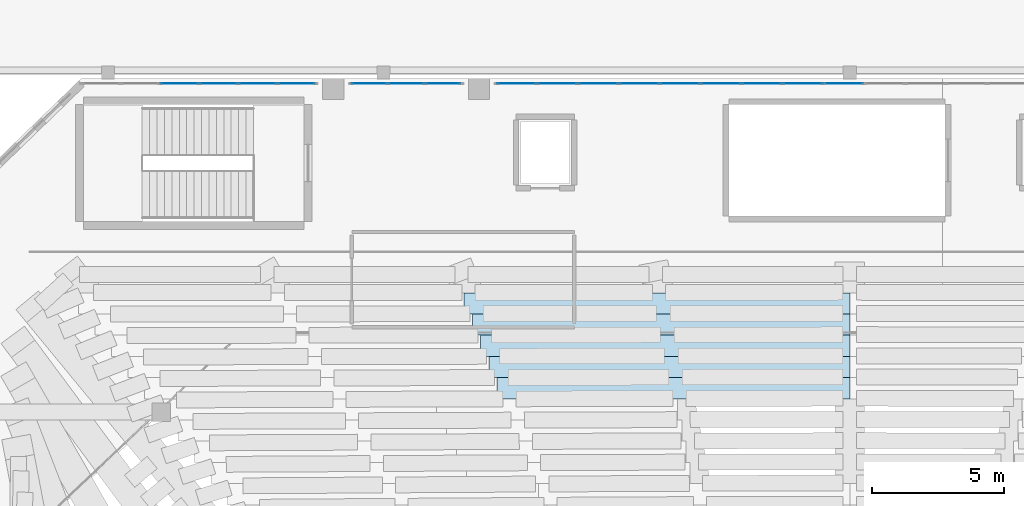
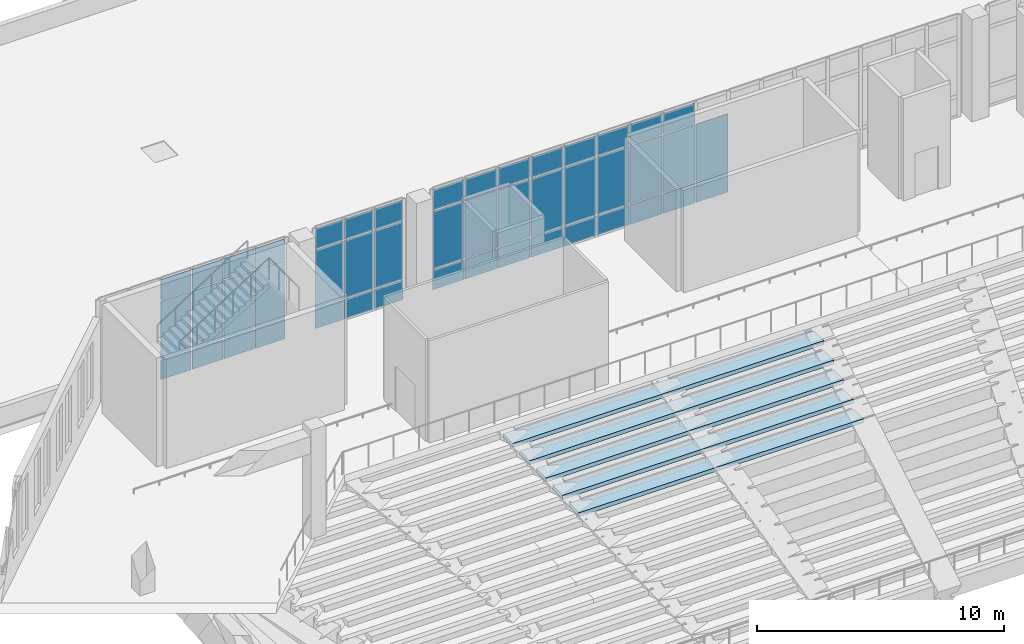
# One storey, part 38 of 55: 47 plates, 5 slabs, 3 elements without a shape of their own.
"""IFC4 building model written with IfcOpenShell, lengths in metres."""

from ifc_helpers import new_model, si_unit, derived_unit, direction, frame, origin, origin_2d, place, context, subcontext, project, spatial, polyline, rectangle, outline, extrude, material, layer, layer_set, type_object, element, aggregate, save


model = new_model("IFC4")

# Units and contexts
model_context = context("Model", 3, precision=1e-05, world=origin(), true_north=direction((0.0, 1.0)))
body_context = subcontext(model_context, "Body", "Model", "MODEL_VIEW")
ifc_project = project(units=[si_unit("LENGTHUNIT", "METRE"), si_unit("AREAUNIT", "SQUARE_METRE"), si_unit("VOLUMEUNIT", "CUBIC_METRE"), si_unit("PLANEANGLEUNIT", "RADIAN"), si_unit("MASSUNIT", "GRAM", prefix="KILO"), derived_unit("THERMALTRANSMITTANCEUNIT", [(si_unit("MASSUNIT", "GRAM", prefix="KILO"), 1), (si_unit("TIMEUNIT", "SECOND"), -3), (si_unit("THERMODYNAMICTEMPERATUREUNIT", "KELVIN"), -1)])], contexts=[model_context])

# Site, building, storey
site_placement = place(None, origin())
site = spatial("IfcSite", under=ifc_project, at=site_placement, CompositionType="ELEMENT")
building_placement = place(site_placement, origin())
building = spatial("IfcBuilding", under=site, at=building_placement, Name="Valcora Ridge Arena", CompositionType="ELEMENT")
storey_placement = place(building_placement, frame((0.0, 0.0, 21.0)))
storey = spatial("IfcBuildingStorey", under=building, at=storey_placement, Name="L04", CompositionType="ELEMENT", Elevation=21.0)

# Curtain wall, plates
ifc_material_1 = material(Name="Anodised dark bronze architectural aluminium 6063-T6", Category="aluminium")
ifc_layer_1 = layer(ifc_material_1, 0.179931640625, Name="Anodised dark bronze architectural aluminium 6063-T6")
ifc_layer_set_1 = layer_set([ifc_layer_1], Name="Anodised dark bronze architectural aluminium 6063-T6")
curtain_wall_type_1 = type_object("IfcCurtainWallType", Name="TY-CURTAINWALL-CW-V1-GOTH-042X51", PredefinedType="NOTDEFINED", material=ifc_layer_set_1)
curtain_wall_1_placement = place(storey_placement, origin())
curtain_wall_1 = element("IfcCurtainWall", 1, at=curtain_wall_1_placement, inside=storey, type_object=curtain_wall_type_1, Name="CW-V1-GOTH-042X51 CW-0158", PredefinedType="NOTDEFINED")
ifc_material_2 = material(Name="Low-iron solar-control double glazing SHGC 0.28", Category="glass")
ifc_layer_2 = layer(ifc_material_2, 0.031982421875, Name="Low-iron solar-control double glazing SHGC 0.28")
ifc_layer_set_2 = layer_set([ifc_layer_2], Name="Low-iron solar-control double glazing SHGC 0.28")
plate_type_1 = type_object("IfcPlateType", Name="TY-PLT-CWP-1317X0960", PredefinedType="CURTAIN_PANEL", material=ifc_layer_set_2)
plate_1_placement = place(storey_placement, frame((39.8583984375, 108.0, 0.06005859375), z_axis=(0.0, 0.0, 1.0), x_axis=(1.0, 0.0, 0.0)))
plate_1 = element("IfcPlate", 2, at=plate_1_placement, type_object=plate_type_1, Name="CW-0158/P00-00", PredefinedType="CURTAIN_PANEL", context=body_context, shape_type="SweptSolid", body=[
    extrude(rectangle(XDim=1.31689453125, YDim=0.031982421875, at=origin_2d()), origin(), (0.0, 0.0, 1.0), 0.9599609375),
])
plate_2_placement = place(storey_placement, frame((42.6416015625, 108.0, 0.06005859375), z_axis=(0.0, 0.0, 1.0), x_axis=(1.0, 0.0, 0.0)))
plate_2 = element("IfcPlate", 3, at=plate_2_placement, type_object=plate_type_1, Name="CW-0158/P02-00", PredefinedType="CURTAIN_PANEL", context=body_context, shape_type="SweptSolid", body=[
    extrude(rectangle(XDim=1.31689453125, YDim=0.031982421875, at=origin_2d()), origin(), (0.0, 0.0, 1.0), 0.9599609375),
])
ifc_layer_3 = layer(ifc_material_2, 0.031982421875, Name="Low-iron solar-control double glazing SHGC 0.28")
ifc_layer_set_3 = layer_set([ifc_layer_3], Name="Low-iron solar-control double glazing SHGC 0.28")
plate_type_2 = type_object("IfcPlateType", Name="TY-PLT-CWP-1317X1010", PredefinedType="CURTAIN_PANEL", material=ifc_layer_set_3)
plate_3_placement = place(storey_placement, frame((39.8583984375, 108.0, 3.990234375), z_axis=(0.0, 0.0, 1.0), x_axis=(1.0, 0.0, 0.0)))
plate_3 = element("IfcPlate", 4, at=plate_3_placement, type_object=plate_type_2, Name="CW-0158/P00-02", PredefinedType="CURTAIN_PANEL", context=body_context, shape_type="SweptSolid", body=[
    extrude(rectangle(XDim=1.31689453125, YDim=0.031982421875, at=origin_2d()), origin(), (0.0, 0.0, 1.0), 1.010009765625),
])
plate_4_placement = place(storey_placement, frame((42.6416015625, 108.0, 3.990234375), z_axis=(0.0, 0.0, 1.0), x_axis=(1.0, 0.0, 0.0)))
plate_4 = element("IfcPlate", 5, at=plate_4_placement, type_object=plate_type_2, Name="CW-0158/P02-02", PredefinedType="CURTAIN_PANEL", context=body_context, shape_type="SweptSolid", body=[
    extrude(rectangle(XDim=1.31689453125, YDim=0.031982421875, at=origin_2d()), origin(), (0.0, 0.0, 1.0), 1.010009765625),
])
ifc_layer_4 = layer(ifc_material_2, 0.031982421875, Name="Low-iron solar-control double glazing SHGC 0.28")
ifc_layer_set_4 = layer_set([ifc_layer_4], Name="Low-iron solar-control double glazing SHGC 0.28")
plate_type_3 = type_object("IfcPlateType", Name="TY-PLT-CWP-1317X2850", PredefinedType="CURTAIN_PANEL", material=ifc_layer_set_4)
plate_5_placement = place(storey_placement, frame((39.8583984375, 108.0, 1.079833984375), z_axis=(0.0, 0.0, 1.0), x_axis=(1.0, 0.0, 0.0)))
plate_5 = element("IfcPlate", 6, at=plate_5_placement, type_object=plate_type_3, Name="CW-0158/P00-01", PredefinedType="CURTAIN_PANEL", context=body_context, shape_type="SweptSolid", body=[
    extrude(rectangle(XDim=1.31689453125, YDim=0.031982421875, at=origin_2d()), origin(), (0.0, 0.0, 1.0), 2.85009765625),
])
plate_6_placement = place(storey_placement, frame((42.6416015625, 108.0, 1.079833984375), z_axis=(0.0, 0.0, 1.0), x_axis=(1.0, 0.0, 0.0)))
plate_6 = element("IfcPlate", 7, at=plate_6_placement, type_object=plate_type_3, Name="CW-0158/P02-01", PredefinedType="CURTAIN_PANEL", context=body_context, shape_type="SweptSolid", body=[
    extrude(rectangle(XDim=1.31689453125, YDim=0.031982421875, at=origin_2d()), origin(), (0.0, 0.0, 1.0), 2.85009765625),
])
ifc_layer_5 = layer(ifc_material_2, 0.031982421875, Name="Low-iron solar-control double glazing SHGC 0.28")
ifc_layer_set_5 = layer_set([ifc_layer_5], Name="Low-iron solar-control double glazing SHGC 0.28")
plate_type_4 = type_object("IfcPlateType", Name="TY-PLT-CWP-1346X0960", PredefinedType="CURTAIN_PANEL", material=ifc_layer_set_5)
plate_7_placement = place(storey_placement, frame((41.25, 108.0, 0.06005859375), z_axis=(0.0, 0.0, 1.0), x_axis=(1.0, 0.0, 0.0)))
plate_7 = element("IfcPlate", 8, at=plate_7_placement, type_object=plate_type_4, Name="CW-0158/P01-00", PredefinedType="CURTAIN_PANEL", context=body_context, shape_type="SweptSolid", body=[
    extrude(rectangle(XDim=1.345947265625, YDim=0.031982421875, at=origin_2d()), origin(), (0.0, 0.0, 1.0), 0.9599609375),
])
ifc_layer_6 = layer(ifc_material_2, 0.031982421875, Name="Low-iron solar-control double glazing SHGC 0.28")
ifc_layer_set_6 = layer_set([ifc_layer_6], Name="Low-iron solar-control double glazing SHGC 0.28")
plate_type_5 = type_object("IfcPlateType", Name="TY-PLT-CWP-1346X1010", PredefinedType="CURTAIN_PANEL", material=ifc_layer_set_6)
plate_8_placement = place(storey_placement, frame((41.25, 108.0, 3.990234375), z_axis=(0.0, 0.0, 1.0), x_axis=(1.0, 0.0, 0.0)))
plate_8 = element("IfcPlate", 9, at=plate_8_placement, type_object=plate_type_5, Name="CW-0158/P01-02", PredefinedType="CURTAIN_PANEL", context=body_context, shape_type="SweptSolid", body=[
    extrude(rectangle(XDim=1.345947265625, YDim=0.031982421875, at=origin_2d()), origin(), (0.0, 0.0, 1.0), 1.010009765625),
])
ifc_layer_7 = layer(ifc_material_2, 0.031982421875, Name="Low-iron solar-control double glazing SHGC 0.28")
ifc_layer_set_7 = layer_set([ifc_layer_7], Name="Low-iron solar-control double glazing SHGC 0.28")
plate_type_6 = type_object("IfcPlateType", Name="TY-PLT-CWP-1346X2850", PredefinedType="CURTAIN_PANEL", material=ifc_layer_set_7)
plate_9_placement = place(storey_placement, frame((41.25, 108.0, 1.079833984375), z_axis=(0.0, 0.0, 1.0), x_axis=(1.0, 0.0, 0.0)))
plate_9 = element("IfcPlate", 10, at=plate_9_placement, type_object=plate_type_6, Name="CW-0158/P01-01", PredefinedType="CURTAIN_PANEL", context=body_context, shape_type="SweptSolid", body=[
    extrude(rectangle(XDim=1.345947265625, YDim=0.031982421875, at=origin_2d()), origin(), (0.0, 0.0, 1.0), 2.85009765625),
])
aggregate(curtain_wall_1, [plate_1, plate_5, plate_3, plate_7, plate_9, plate_8, plate_2, plate_6, plate_4])

ifc_layer_8 = layer(ifc_material_1, 0.179931640625, Name="Anodised dark bronze architectural aluminium 6063-T6")
ifc_layer_set_8 = layer_set([ifc_layer_8], Name="Anodised dark bronze architectural aluminium 6063-T6")
curtain_wall_type_2 = type_object("IfcCurtainWallType", Name="TY-CURTAINWALL-CW-V1-GOTH-089X51", PredefinedType="NOTDEFINED", material=ifc_layer_set_8)
curtain_wall_2_placement = place(storey_placement, origin())
curtain_wall_2 = element("IfcCurtainWall", 11, at=curtain_wall_2_placement, inside=storey, type_object=curtain_wall_type_2, Name="CW-V1-GOTH-089X51 CW-0157", PredefinedType="NOTDEFINED")
ifc_layer_9 = layer(ifc_material_2, 0.031982421875, Name="Low-iron solar-control double glazing SHGC 0.28")
ifc_layer_set_9 = layer_set([ifc_layer_9], Name="Low-iron solar-control double glazing SHGC 0.28")
plate_type_7 = type_object("IfcPlateType", Name="TY-PLT-CWP-1387X0960", PredefinedType="CURTAIN_PANEL", material=ifc_layer_set_9)
plate_10_placement = place(storey_placement, frame((37.1064453125, 108.0, 0.06005859375), z_axis=(0.0, 0.0, 1.0), x_axis=(1.0, 0.0, 0.0)))
plate_10 = element("IfcPlate", 12, at=plate_10_placement, type_object=plate_type_7, Name="CW-0157/P05-00", PredefinedType="CURTAIN_PANEL", context=body_context, shape_type="SweptSolid", body=[
    extrude(rectangle(XDim=1.386962890625, YDim=0.031982421875, at=origin_2d()), origin(), (0.0, 0.0, 1.0), 0.9599609375),
])
ifc_layer_10 = layer(ifc_material_2, 0.031982421875, Name="Low-iron solar-control double glazing SHGC 0.28")
ifc_layer_set_10 = layer_set([ifc_layer_10], Name="Low-iron solar-control double glazing SHGC 0.28")
plate_type_8 = type_object("IfcPlateType", Name="TY-PLT-CWP-1387X1010", PredefinedType="CURTAIN_PANEL", material=ifc_layer_set_10)
plate_11_placement = place(storey_placement, frame((37.1064453125, 108.0, 3.990234375), z_axis=(0.0, 0.0, 1.0), x_axis=(1.0, 0.0, 0.0)))
plate_11 = element("IfcPlate", 13, at=plate_11_placement, type_object=plate_type_8, Name="CW-0157/P05-02", PredefinedType="CURTAIN_PANEL", context=body_context, shape_type="SweptSolid", body=[
    extrude(rectangle(XDim=1.386962890625, YDim=0.031982421875, at=origin_2d()), origin(), (0.0, 0.0, 1.0), 1.010009765625),
])
ifc_layer_11 = layer(ifc_material_2, 0.031982421875, Name="Low-iron solar-control double glazing SHGC 0.28")
ifc_layer_set_11 = layer_set([ifc_layer_11], Name="Low-iron solar-control double glazing SHGC 0.28")
plate_type_9 = type_object("IfcPlateType", Name="TY-PLT-CWP-1387X2850", PredefinedType="CURTAIN_PANEL", material=ifc_layer_set_11)
plate_12_placement = place(storey_placement, frame((37.1064453125, 108.0, 1.079833984375), z_axis=(0.0, 0.0, 1.0), x_axis=(1.0, 0.0, 0.0)))
plate_12 = element("IfcPlate", 14, at=plate_12_placement, type_object=plate_type_9, Name="CW-0157/P05-01", PredefinedType="CURTAIN_PANEL", context=body_context, shape_type="SweptSolid", body=[
    extrude(rectangle(XDim=1.386962890625, YDim=0.031982421875, at=origin_2d()), origin(), (0.0, 0.0, 1.0), 2.85009765625),
])
ifc_layer_12 = layer(ifc_material_2, 0.031982421875, Name="Low-iron solar-control double glazing SHGC 0.28")
ifc_layer_set_12 = layer_set([ifc_layer_12], Name="Low-iron solar-control double glazing SHGC 0.28")
plate_type_10 = type_object("IfcPlateType", Name="TY-PLT-CWP-1416X0960", PredefinedType="CURTAIN_PANEL", material=ifc_layer_set_12)
plate_13_placement = place(storey_placement, frame((35.64501953125, 108.0, 0.06005859375), z_axis=(0.0, 0.0, 1.0), x_axis=(1.0, 0.0, 0.0)))
plate_13 = element("IfcPlate", 15, at=plate_13_placement, type_object=plate_type_10, Name="CW-0157/P04-00", PredefinedType="CURTAIN_PANEL", context=body_context, shape_type="SweptSolid", body=[
    extrude(rectangle(XDim=1.416015625, YDim=0.031982421875, at=origin_2d()), origin(), (0.0, 0.0, 1.0), 0.9599609375),
])
ifc_layer_13 = layer(ifc_material_2, 0.031982421875, Name="Low-iron solar-control double glazing SHGC 0.28")
ifc_layer_set_13 = layer_set([ifc_layer_13], Name="Low-iron solar-control double glazing SHGC 0.28")
plate_type_11 = type_object("IfcPlateType", Name="TY-PLT-CWP-1416X1010", PredefinedType="CURTAIN_PANEL", material=ifc_layer_set_13)
plate_14_placement = place(storey_placement, frame((35.64501953125, 108.0, 3.990234375), z_axis=(0.0, 0.0, 1.0), x_axis=(1.0, 0.0, 0.0)))
plate_14 = element("IfcPlate", 16, at=plate_14_placement, type_object=plate_type_11, Name="CW-0157/P04-02", PredefinedType="CURTAIN_PANEL", context=body_context, shape_type="SweptSolid", body=[
    extrude(rectangle(XDim=1.416015625, YDim=0.031982421875, at=origin_2d()), origin(), (0.0, 0.0, 1.0), 1.010009765625),
])
ifc_layer_14 = layer(ifc_material_2, 0.031982421875, Name="Low-iron solar-control double glazing SHGC 0.28")
ifc_layer_set_14 = layer_set([ifc_layer_14], Name="Low-iron solar-control double glazing SHGC 0.28")
plate_type_12 = type_object("IfcPlateType", Name="TY-PLT-CWP-1416X2850", PredefinedType="CURTAIN_PANEL", material=ifc_layer_set_14)
plate_15_placement = place(storey_placement, frame((35.64501953125, 108.0, 1.079833984375), z_axis=(0.0, 0.0, 1.0), x_axis=(1.0, 0.0, 0.0)))
plate_15 = element("IfcPlate", 17, at=plate_15_placement, type_object=plate_type_12, Name="CW-0157/P04-01", PredefinedType="CURTAIN_PANEL", context=body_context, shape_type="SweptSolid", body=[
    extrude(rectangle(XDim=1.416015625, YDim=0.031982421875, at=origin_2d()), origin(), (0.0, 0.0, 1.0), 2.85009765625),
])
ifc_layer_15 = layer(ifc_material_2, 0.031982421875, Name="Low-iron solar-control double glazing SHGC 0.28")
ifc_layer_set_15 = layer_set([ifc_layer_15], Name="Low-iron solar-control double glazing SHGC 0.28")
plate_type_13 = type_object("IfcPlateType", Name="TY-PLT-CWP-1417X0960", PredefinedType="CURTAIN_PANEL", material=ifc_layer_set_15)
plate_16_placement = place(storey_placement, frame((32.69140625, 108.0, 0.06005859375), z_axis=(0.0, 0.0, 1.0), x_axis=(1.0, 0.0, 0.0)))
plate_16 = element("IfcPlate", 18, at=plate_16_placement, type_object=plate_type_13, Name="CW-0157/P02-00", PredefinedType="CURTAIN_PANEL", context=body_context, shape_type="SweptSolid", body=[
    extrude(rectangle(XDim=1.4169921875, YDim=0.031982421875, at=origin_2d()), origin(), (0.0, 0.0, 1.0), 0.9599609375),
])
plate_17_placement = place(storey_placement, frame((34.16845703125, 108.0, 0.06005859375), z_axis=(0.0, 0.0, 1.0), x_axis=(1.0, 0.0, 0.0)))
plate_17 = element("IfcPlate", 19, at=plate_17_placement, type_object=plate_type_13, Name="CW-0157/P03-00", PredefinedType="CURTAIN_PANEL", context=body_context, shape_type="SweptSolid", body=[
    extrude(rectangle(XDim=1.4169921875, YDim=0.031982421875, at=origin_2d()), origin(), (0.0, 0.0, 1.0), 0.9599609375),
])
ifc_layer_16 = layer(ifc_material_2, 0.031982421875, Name="Low-iron solar-control double glazing SHGC 0.28")
ifc_layer_set_16 = layer_set([ifc_layer_16], Name="Low-iron solar-control double glazing SHGC 0.28")
plate_type_14 = type_object("IfcPlateType", Name="TY-PLT-CWP-1417X1010", PredefinedType="CURTAIN_PANEL", material=ifc_layer_set_16)
plate_18_placement = place(storey_placement, frame((32.69140625, 108.0, 3.990234375), z_axis=(0.0, 0.0, 1.0), x_axis=(1.0, 0.0, 0.0)))
plate_18 = element("IfcPlate", 20, at=plate_18_placement, type_object=plate_type_14, Name="CW-0157/P02-02", PredefinedType="CURTAIN_PANEL", context=body_context, shape_type="SweptSolid", body=[
    extrude(rectangle(XDim=1.4169921875, YDim=0.031982421875, at=origin_2d()), origin(), (0.0, 0.0, 1.0), 1.010009765625),
])
plate_19_placement = place(storey_placement, frame((34.16845703125, 108.0, 3.990234375), z_axis=(0.0, 0.0, 1.0), x_axis=(1.0, 0.0, 0.0)))
plate_19 = element("IfcPlate", 21, at=plate_19_placement, type_object=plate_type_14, Name="CW-0157/P03-02", PredefinedType="CURTAIN_PANEL", context=body_context, shape_type="SweptSolid", body=[
    extrude(rectangle(XDim=1.4169921875, YDim=0.031982421875, at=origin_2d()), origin(), (0.0, 0.0, 1.0), 1.010009765625),
])
ifc_layer_17 = layer(ifc_material_2, 0.031982421875, Name="Low-iron solar-control double glazing SHGC 0.28")
ifc_layer_set_17 = layer_set([ifc_layer_17], Name="Low-iron solar-control double glazing SHGC 0.28")
plate_type_15 = type_object("IfcPlateType", Name="TY-PLT-CWP-1417X2850", PredefinedType="CURTAIN_PANEL", material=ifc_layer_set_17)
plate_20_placement = place(storey_placement, frame((32.69140625, 108.0, 1.079833984375), z_axis=(0.0, 0.0, 1.0), x_axis=(1.0, 0.0, 0.0)))
plate_20 = element("IfcPlate", 22, at=plate_20_placement, type_object=plate_type_15, Name="CW-0157/P02-01", PredefinedType="CURTAIN_PANEL", context=body_context, shape_type="SweptSolid", body=[
    extrude(rectangle(XDim=1.4169921875, YDim=0.031982421875, at=origin_2d()), origin(), (0.0, 0.0, 1.0), 2.85009765625),
])
plate_21_placement = place(storey_placement, frame((34.16845703125, 108.0, 1.079833984375), z_axis=(0.0, 0.0, 1.0), x_axis=(1.0, 0.0, 0.0)))
plate_21 = element("IfcPlate", 23, at=plate_21_placement, type_object=plate_type_15, Name="CW-0157/P03-01", PredefinedType="CURTAIN_PANEL", context=body_context, shape_type="SweptSolid", body=[
    extrude(rectangle(XDim=1.4169921875, YDim=0.031982421875, at=origin_2d()), origin(), (0.0, 0.0, 1.0), 2.85009765625),
])
aggregate(curtain_wall_2, [plate_16, plate_20, plate_18, plate_17, plate_21, plate_19, plate_13, plate_15, plate_14, plate_10, plate_12, plate_11])

ifc_layer_18 = layer(ifc_material_1, 0.179931640625, Name="Anodised dark bronze architectural aluminium 6063-T6")
ifc_layer_set_18 = layer_set([ifc_layer_18], Name="Anodised dark bronze architectural aluminium 6063-T6")
curtain_wall_type_3 = type_object("IfcCurtainWallType", Name="TY-CURTAINWALL-CW-V1-GOTH-247X51", PredefinedType="NOTDEFINED", material=ifc_layer_set_18)
curtain_wall_3_placement = place(storey_placement, origin())
curtain_wall_3 = element("IfcCurtainWall", 24, at=curtain_wall_3_placement, inside=storey, type_object=curtain_wall_type_3, Name="CW-V1-GOTH-247X51 CW-0159", PredefinedType="NOTDEFINED")
ifc_layer_19 = layer(ifc_material_2, 0.031982421875, Name="Low-iron solar-control double glazing SHGC 0.28")
ifc_layer_set_19 = layer_set([ifc_layer_19], Name="Low-iron solar-control double glazing SHGC 0.28")
plate_type_16 = type_object("IfcPlateType", Name="TY-PLT-CWP-1455X0960", PredefinedType="CURTAIN_PANEL", material=ifc_layer_set_19)
plate_22_placement = place(storey_placement, frame((45.427490234375, 108.0, 0.06005859375), z_axis=(0.0, 0.0, 1.0), x_axis=(1.0, 0.0, 0.0)))
plate_22 = element("IfcPlate", 25, at=plate_22_placement, type_object=plate_type_16, Name="CW-0159/P00-00", PredefinedType="CURTAIN_PANEL", context=body_context, shape_type="SweptSolid", body=[
    extrude(rectangle(XDim=1.455078125, YDim=0.031982421875, at=origin_2d()), origin(), (0.0, 0.0, 1.0), 0.9599609375),
])
ifc_layer_20 = layer(ifc_material_2, 0.031982421875, Name="Low-iron solar-control double glazing SHGC 0.28")
ifc_layer_set_20 = layer_set([ifc_layer_20], Name="Low-iron solar-control double glazing SHGC 0.28")
plate_type_17 = type_object("IfcPlateType", Name="TY-PLT-CWP-1455X1010", PredefinedType="CURTAIN_PANEL", material=ifc_layer_set_20)
plate_23_placement = place(storey_placement, frame((45.427490234375, 108.0, 3.990234375), z_axis=(0.0, 0.0, 1.0), x_axis=(1.0, 0.0, 0.0)))
plate_23 = element("IfcPlate", 26, at=plate_23_placement, type_object=plate_type_17, Name="CW-0159/P00-02", PredefinedType="CURTAIN_PANEL", context=body_context, shape_type="SweptSolid", body=[
    extrude(rectangle(XDim=1.455078125, YDim=0.031982421875, at=origin_2d()), origin(), (0.0, 0.0, 1.0), 1.010009765625),
])
ifc_layer_21 = layer(ifc_material_2, 0.031982421875, Name="Low-iron solar-control double glazing SHGC 0.28")
ifc_layer_set_21 = layer_set([ifc_layer_21], Name="Low-iron solar-control double glazing SHGC 0.28")
plate_type_18 = type_object("IfcPlateType", Name="TY-PLT-CWP-1455X2850", PredefinedType="CURTAIN_PANEL", material=ifc_layer_set_21)
plate_24_placement = place(storey_placement, frame((45.427490234375, 108.0, 1.079833984375), z_axis=(0.0, 0.0, 1.0), x_axis=(1.0, 0.0, 0.0)))
plate_24 = element("IfcPlate", 27, at=plate_24_placement, type_object=plate_type_18, Name="CW-0159/P00-01", PredefinedType="CURTAIN_PANEL", context=body_context, shape_type="SweptSolid", body=[
    extrude(rectangle(XDim=1.455078125, YDim=0.031982421875, at=origin_2d()), origin(), (0.0, 0.0, 1.0), 2.85009765625),
])
ifc_layer_22 = layer(ifc_material_2, 0.031982421875, Name="Low-iron solar-control double glazing SHGC 0.28")
ifc_layer_set_22 = layer_set([ifc_layer_22], Name="Low-iron solar-control double glazing SHGC 0.28")
plate_type_19 = type_object("IfcPlateType", Name="TY-PLT-CWP-1485X0960", PredefinedType="CURTAIN_PANEL", material=ifc_layer_set_22)
plate_25_placement = place(storey_placement, frame((46.95751953125, 108.0, 0.06005859375), z_axis=(0.0, 0.0, 1.0), x_axis=(1.0, 0.0, 0.0)))
plate_25 = element("IfcPlate", 28, at=plate_25_placement, type_object=plate_type_19, Name="CW-0159/P01-00", PredefinedType="CURTAIN_PANEL", context=body_context, shape_type="SweptSolid", body=[
    extrude(rectangle(XDim=1.485107421875, YDim=0.031982421875, at=origin_2d()), origin(), (0.0, 0.0, 1.0), 0.9599609375),
])
plate_26_placement = place(storey_placement, frame((48.50244140625, 108.0, 0.06005859375), z_axis=(0.0, 0.0, 1.0), x_axis=(1.0, 0.0, 0.0)))
plate_26 = element("IfcPlate", 29, at=plate_26_placement, type_object=plate_type_19, Name="CW-0159/P02-00", PredefinedType="CURTAIN_PANEL", context=body_context, shape_type="SweptSolid", body=[
    extrude(rectangle(XDim=1.485107421875, YDim=0.031982421875, at=origin_2d()), origin(), (0.0, 0.0, 1.0), 0.9599609375),
])
plate_27_placement = place(storey_placement, frame((50.047607421875, 108.0, 0.06005859375), z_axis=(0.0, 0.0, 1.0), x_axis=(1.0, 0.0, 0.0)))
plate_27 = element("IfcPlate", 30, at=plate_27_placement, type_object=plate_type_19, Name="CW-0159/P03-00", PredefinedType="CURTAIN_PANEL", context=body_context, shape_type="SweptSolid", body=[
    extrude(rectangle(XDim=1.485107421875, YDim=0.031982421875, at=origin_2d()), origin(), (0.0, 0.0, 1.0), 0.9599609375),
])
plate_28_placement = place(storey_placement, frame((51.592529296875, 108.0, 0.06005859375), z_axis=(0.0, 0.0, 1.0), x_axis=(1.0, 0.0, 0.0)))
plate_28 = element("IfcPlate", 31, at=plate_28_placement, type_object=plate_type_19, Name="CW-0159/P04-00", PredefinedType="CURTAIN_PANEL", context=body_context, shape_type="SweptSolid", body=[
    extrude(rectangle(XDim=1.485107421875, YDim=0.031982421875, at=origin_2d()), origin(), (0.0, 0.0, 1.0), 0.9599609375),
])
plate_29_placement = place(storey_placement, frame((53.137451171875, 108.0, 0.06005859375), z_axis=(0.0, 0.0, 1.0), x_axis=(1.0, 0.0, 0.0)))
plate_29 = element("IfcPlate", 32, at=plate_29_placement, type_object=plate_type_19, Name="CW-0159/P05-00", PredefinedType="CURTAIN_PANEL", context=body_context, shape_type="SweptSolid", body=[
    extrude(rectangle(XDim=1.485107421875, YDim=0.031982421875, at=origin_2d()), origin(), (0.0, 0.0, 1.0), 0.9599609375),
])
plate_30_placement = place(storey_placement, frame((54.6826171875, 108.0, 0.06005859375), z_axis=(0.0, 0.0, 1.0), x_axis=(1.0, 0.0, 0.0)))
plate_30 = element("IfcPlate", 33, at=plate_30_placement, type_object=plate_type_19, Name="CW-0159/P06-00", PredefinedType="CURTAIN_PANEL", context=body_context, shape_type="SweptSolid", body=[
    extrude(rectangle(XDim=1.485107421875, YDim=0.031982421875, at=origin_2d()), origin(), (0.0, 0.0, 1.0), 0.9599609375),
])
plate_31_placement = place(storey_placement, frame((56.2275390625, 108.0, 0.06005859375), z_axis=(0.0, 0.0, 1.0), x_axis=(1.0, 0.0, 0.0)))
plate_31 = element("IfcPlate", 34, at=plate_31_placement, type_object=plate_type_19, Name="CW-0159/P07-00", PredefinedType="CURTAIN_PANEL", context=body_context, shape_type="SweptSolid", body=[
    extrude(rectangle(XDim=1.485107421875, YDim=0.031982421875, at=origin_2d()), origin(), (0.0, 0.0, 1.0), 0.9599609375),
])
plate_32_placement = place(storey_placement, frame((57.7724609375, 108.0, 0.06005859375), z_axis=(0.0, 0.0, 1.0), x_axis=(1.0, 0.0, 0.0)))
plate_32 = element("IfcPlate", 35, at=plate_32_placement, type_object=plate_type_19, Name="CW-0159/P08-00", PredefinedType="CURTAIN_PANEL", context=body_context, shape_type="SweptSolid", body=[
    extrude(rectangle(XDim=1.485107421875, YDim=0.031982421875, at=origin_2d()), origin(), (0.0, 0.0, 1.0), 0.9599609375),
])
ifc_layer_23 = layer(ifc_material_2, 0.031982421875, Name="Low-iron solar-control double glazing SHGC 0.28")
ifc_layer_set_23 = layer_set([ifc_layer_23], Name="Low-iron solar-control double glazing SHGC 0.28")
plate_type_20 = type_object("IfcPlateType", Name="TY-PLT-CWP-1485X1010", PredefinedType="CURTAIN_PANEL", material=ifc_layer_set_23)
plate_33_placement = place(storey_placement, frame((46.95751953125, 108.0, 3.990234375), z_axis=(0.0, 0.0, 1.0), x_axis=(1.0, 0.0, 0.0)))
plate_33 = element("IfcPlate", 36, at=plate_33_placement, type_object=plate_type_20, Name="CW-0159/P01-02", PredefinedType="CURTAIN_PANEL", context=body_context, shape_type="SweptSolid", body=[
    extrude(rectangle(XDim=1.485107421875, YDim=0.031982421875, at=origin_2d()), origin(), (0.0, 0.0, 1.0), 1.010009765625),
])
plate_34_placement = place(storey_placement, frame((48.50244140625, 108.0, 3.990234375), z_axis=(0.0, 0.0, 1.0), x_axis=(1.0, 0.0, 0.0)))
plate_34 = element("IfcPlate", 37, at=plate_34_placement, type_object=plate_type_20, Name="CW-0159/P02-02", PredefinedType="CURTAIN_PANEL", context=body_context, shape_type="SweptSolid", body=[
    extrude(rectangle(XDim=1.485107421875, YDim=0.031982421875, at=origin_2d()), origin(), (0.0, 0.0, 1.0), 1.010009765625),
])
plate_35_placement = place(storey_placement, frame((50.047607421875, 108.0, 3.990234375), z_axis=(0.0, 0.0, 1.0), x_axis=(1.0, 0.0, 0.0)))
plate_35 = element("IfcPlate", 38, at=plate_35_placement, type_object=plate_type_20, Name="CW-0159/P03-02", PredefinedType="CURTAIN_PANEL", context=body_context, shape_type="SweptSolid", body=[
    extrude(rectangle(XDim=1.485107421875, YDim=0.031982421875, at=origin_2d()), origin(), (0.0, 0.0, 1.0), 1.010009765625),
])
plate_36_placement = place(storey_placement, frame((51.592529296875, 108.0, 3.990234375), z_axis=(0.0, 0.0, 1.0), x_axis=(1.0, 0.0, 0.0)))
plate_36 = element("IfcPlate", 39, at=plate_36_placement, type_object=plate_type_20, Name="CW-0159/P04-02", PredefinedType="CURTAIN_PANEL", context=body_context, shape_type="SweptSolid", body=[
    extrude(rectangle(XDim=1.485107421875, YDim=0.031982421875, at=origin_2d()), origin(), (0.0, 0.0, 1.0), 1.010009765625),
])
plate_37_placement = place(storey_placement, frame((53.137451171875, 108.0, 3.990234375), z_axis=(0.0, 0.0, 1.0), x_axis=(1.0, 0.0, 0.0)))
plate_37 = element("IfcPlate", 40, at=plate_37_placement, type_object=plate_type_20, Name="CW-0159/P05-02", PredefinedType="CURTAIN_PANEL", context=body_context, shape_type="SweptSolid", body=[
    extrude(rectangle(XDim=1.485107421875, YDim=0.031982421875, at=origin_2d()), origin(), (0.0, 0.0, 1.0), 1.010009765625),
])
plate_38_placement = place(storey_placement, frame((54.6826171875, 108.0, 3.990234375), z_axis=(0.0, 0.0, 1.0), x_axis=(1.0, 0.0, 0.0)))
plate_38 = element("IfcPlate", 41, at=plate_38_placement, type_object=plate_type_20, Name="CW-0159/P06-02", PredefinedType="CURTAIN_PANEL", context=body_context, shape_type="SweptSolid", body=[
    extrude(rectangle(XDim=1.485107421875, YDim=0.031982421875, at=origin_2d()), origin(), (0.0, 0.0, 1.0), 1.010009765625),
])
plate_39_placement = place(storey_placement, frame((56.2275390625, 108.0, 3.990234375), z_axis=(0.0, 0.0, 1.0), x_axis=(1.0, 0.0, 0.0)))
plate_39 = element("IfcPlate", 42, at=plate_39_placement, type_object=plate_type_20, Name="CW-0159/P07-02", PredefinedType="CURTAIN_PANEL", context=body_context, shape_type="SweptSolid", body=[
    extrude(rectangle(XDim=1.485107421875, YDim=0.031982421875, at=origin_2d()), origin(), (0.0, 0.0, 1.0), 1.010009765625),
])
ifc_layer_24 = layer(ifc_material_2, 0.031982421875, Name="Low-iron solar-control double glazing SHGC 0.28")
ifc_layer_set_24 = layer_set([ifc_layer_24], Name="Low-iron solar-control double glazing SHGC 0.28")
plate_type_21 = type_object("IfcPlateType", Name="TY-PLT-CWP-1485X2850", PredefinedType="CURTAIN_PANEL", material=ifc_layer_set_24)
plate_40_placement = place(storey_placement, frame((46.95751953125, 108.0, 1.079833984375), z_axis=(0.0, 0.0, 1.0), x_axis=(1.0, 0.0, 0.0)))
plate_40 = element("IfcPlate", 43, at=plate_40_placement, type_object=plate_type_21, Name="CW-0159/P01-01", PredefinedType="CURTAIN_PANEL", context=body_context, shape_type="SweptSolid", body=[
    extrude(rectangle(XDim=1.485107421875, YDim=0.031982421875, at=origin_2d()), origin(), (0.0, 0.0, 1.0), 2.85009765625),
])
plate_41_placement = place(storey_placement, frame((48.50244140625, 108.0, 1.079833984375), z_axis=(0.0, 0.0, 1.0), x_axis=(1.0, 0.0, 0.0)))
plate_41 = element("IfcPlate", 44, at=plate_41_placement, type_object=plate_type_21, Name="CW-0159/P02-01", PredefinedType="CURTAIN_PANEL", context=body_context, shape_type="SweptSolid", body=[
    extrude(rectangle(XDim=1.485107421875, YDim=0.031982421875, at=origin_2d()), origin(), (0.0, 0.0, 1.0), 2.85009765625),
])
plate_42_placement = place(storey_placement, frame((50.047607421875, 108.0, 1.079833984375), z_axis=(0.0, 0.0, 1.0), x_axis=(1.0, 0.0, 0.0)))
plate_42 = element("IfcPlate", 45, at=plate_42_placement, type_object=plate_type_21, Name="CW-0159/P03-01", PredefinedType="CURTAIN_PANEL", context=body_context, shape_type="SweptSolid", body=[
    extrude(rectangle(XDim=1.485107421875, YDim=0.031982421875, at=origin_2d()), origin(), (0.0, 0.0, 1.0), 2.85009765625),
])
plate_43_placement = place(storey_placement, frame((51.592529296875, 108.0, 1.079833984375), z_axis=(0.0, 0.0, 1.0), x_axis=(1.0, 0.0, 0.0)))
plate_43 = element("IfcPlate", 46, at=plate_43_placement, type_object=plate_type_21, Name="CW-0159/P04-01", PredefinedType="CURTAIN_PANEL", context=body_context, shape_type="SweptSolid", body=[
    extrude(rectangle(XDim=1.485107421875, YDim=0.031982421875, at=origin_2d()), origin(), (0.0, 0.0, 1.0), 2.85009765625),
])
plate_44_placement = place(storey_placement, frame((53.137451171875, 108.0, 1.079833984375), z_axis=(0.0, 0.0, 1.0), x_axis=(1.0, 0.0, 0.0)))
plate_44 = element("IfcPlate", 47, at=plate_44_placement, type_object=plate_type_21, Name="CW-0159/P05-01", PredefinedType="CURTAIN_PANEL", context=body_context, shape_type="SweptSolid", body=[
    extrude(rectangle(XDim=1.485107421875, YDim=0.031982421875, at=origin_2d()), origin(), (0.0, 0.0, 1.0), 2.85009765625),
])
plate_45_placement = place(storey_placement, frame((54.6826171875, 108.0, 1.079833984375), z_axis=(0.0, 0.0, 1.0), x_axis=(1.0, 0.0, 0.0)))
plate_45 = element("IfcPlate", 48, at=plate_45_placement, type_object=plate_type_21, Name="CW-0159/P06-01", PredefinedType="CURTAIN_PANEL", context=body_context, shape_type="SweptSolid", body=[
    extrude(rectangle(XDim=1.485107421875, YDim=0.031982421875, at=origin_2d()), origin(), (0.0, 0.0, 1.0), 2.85009765625),
])
plate_46_placement = place(storey_placement, frame((56.2275390625, 108.0, 1.079833984375), z_axis=(0.0, 0.0, 1.0), x_axis=(1.0, 0.0, 0.0)))
plate_46 = element("IfcPlate", 49, at=plate_46_placement, type_object=plate_type_21, Name="CW-0159/P07-01", PredefinedType="CURTAIN_PANEL", context=body_context, shape_type="SweptSolid", body=[
    extrude(rectangle(XDim=1.485107421875, YDim=0.031982421875, at=origin_2d()), origin(), (0.0, 0.0, 1.0), 2.85009765625),
])
plate_47_placement = place(storey_placement, frame((57.7724609375, 108.0, 1.079833984375), z_axis=(0.0, 0.0, 1.0), x_axis=(1.0, 0.0, 0.0)))
plate_47 = element("IfcPlate", 50, at=plate_47_placement, type_object=plate_type_21, Name="CW-0159/P08-01", PredefinedType="CURTAIN_PANEL", context=body_context, shape_type="SweptSolid", body=[
    extrude(rectangle(XDim=1.485107421875, YDim=0.031982421875, at=origin_2d()), origin(), (0.0, 0.0, 1.0), 2.85009765625),
])
aggregate(curtain_wall_3, [plate_22, plate_24, plate_23, plate_25, plate_40, plate_33, plate_26, plate_41, plate_34, plate_27, plate_42, plate_35, plate_28, plate_43, plate_36, plate_29, plate_44, plate_37, plate_30, plate_45, plate_38, plate_31, plate_46, plate_39, plate_32, plate_47])

# Slabs
ifc_material_3 = material(Name="Precast concrete C45/55", Category="concrete")
ifc_layer_25 = layer(ifc_material_3, 0.199951171875, Name="Precast concrete C45/55")
ifc_layer_set_25 = layer_set([ifc_layer_25], Name="Precast concrete C45/55")
slab_type_1 = type_object("IfcSlabType", Name="TY-SLAB-ST-UPP-L133", PredefinedType="USERDEFINED", material=ifc_layer_set_25)
slab_1_placement = place(storey_placement, frame((0.0, 0.0, -3.9599609375)))
element("IfcSlab", 51, at=slab_1_placement, inside=storey, type_object=slab_type_1, Name="ST-UPP-L133 SLB-TR-0559", ObjectType="SEATING TIER", PredefinedType="USERDEFINED", context=body_context, shape_type="SweptSolid", body=[
    extrude(outline(polyline([(58.0, 96.10009765625), (44.69189453125, 96.10009765625), (44.69189453125, 96.89990234375), (58.0, 96.89990234375), (58.0, 96.10009765625)])), origin(), (0.0, 0.0, 1.0), 0.199951171875),
])
ifc_layer_26 = layer(ifc_material_3, 0.199951171875, Name="Precast concrete C45/55")
ifc_layer_set_26 = layer_set([ifc_layer_26], Name="Precast concrete C45/55")
slab_type_2 = type_object("IfcSlabType", Name="TY-SLAB-ST-UPP-L136", PredefinedType="USERDEFINED", material=ifc_layer_set_26)
slab_2_placement = place(storey_placement, frame((0.0, 0.0, -3.47998046875)))
element("IfcSlab", 52, at=slab_2_placement, inside=storey, type_object=slab_type_2, Name="ST-UPP-L136 SLB-TR-0567", ObjectType="SEATING TIER", PredefinedType="USERDEFINED", context=body_context, shape_type="SweptSolid", body=[
    extrude(outline(polyline([(58.0, 96.89990234375), (44.3798828125, 96.89990234375), (44.3798828125, 97.699951171875), (58.0, 97.699951171875), (58.0, 96.89990234375)])), origin(), (0.0, 0.0, 1.0), 0.199951171875),
])
ifc_layer_27 = layer(ifc_material_3, 0.199951171875, Name="Precast concrete C45/55")
ifc_layer_set_27 = layer_set([ifc_layer_27], Name="Precast concrete C45/55")
slab_type_3 = type_object("IfcSlabType", Name="TY-SLAB-ST-UPP-L139", PredefinedType="USERDEFINED", material=ifc_layer_set_27)
slab_3_placement = place(storey_placement, frame((0.0, 0.0, -3.0)))
element("IfcSlab", 53, at=slab_3_placement, inside=storey, type_object=slab_type_3, Name="ST-UPP-L139 SLB-TR-0575", ObjectType="SEATING TIER", PredefinedType="USERDEFINED", context=body_context, shape_type="SweptSolid", body=[
    extrude(outline(polyline([(58.0, 97.699951171875), (44.068115234375, 97.699951171875), (44.068115234375, 98.5), (58.0, 98.5), (58.0, 97.699951171875)])), origin(), (0.0, 0.0, 1.0), 0.199951171875),
])
ifc_layer_28 = layer(ifc_material_3, 0.199951171875, Name="Precast concrete C45/55")
ifc_layer_set_28 = layer_set([ifc_layer_28], Name="Precast concrete C45/55")
slab_type_4 = type_object("IfcSlabType", Name="TY-SLAB-ST-UPP-L142", PredefinedType="USERDEFINED", material=ifc_layer_set_28)
slab_4_placement = place(storey_placement, frame((0.0, 0.0, -2.52001953125)))
element("IfcSlab", 54, at=slab_4_placement, inside=storey, type_object=slab_type_4, Name="ST-UPP-L142 SLB-TR-0583", ObjectType="SEATING TIER", PredefinedType="USERDEFINED", context=body_context, shape_type="SweptSolid", body=[
    extrude(outline(polyline([(58.0, 98.5), (43.756103515625, 98.5), (43.756103515625, 99.300048828125), (58.0, 99.300048828125), (58.0, 98.5)])), origin(), (0.0, 0.0, 1.0), 0.199951171875),
])
ifc_layer_29 = layer(ifc_material_3, 0.199951171875, Name="Precast concrete C45/55")
ifc_layer_set_29 = layer_set([ifc_layer_29], Name="Precast concrete C45/55")
slab_type_5 = type_object("IfcSlabType", Name="TY-SLAB-ST-UPP-L146", PredefinedType="USERDEFINED", material=ifc_layer_set_29)
slab_5_placement = place(storey_placement, frame((0.0, 0.0, -2.0400390625)))
element("IfcSlab", 55, at=slab_5_placement, inside=storey, type_object=slab_type_5, Name="ST-UPP-L146 SLB-TR-0591", ObjectType="SEATING TIER", PredefinedType="USERDEFINED", context=body_context, shape_type="SweptSolid", body=[
    extrude(outline(polyline([(58.0, 99.300048828125), (43.444091796875, 99.300048828125), (43.444091796875, 100.10009765625), (58.0, 100.10009765625), (58.0, 99.300048828125)])), origin(), (0.0, 0.0, 1.0), 0.199951171875),
])

save(model, "model.ifc")
